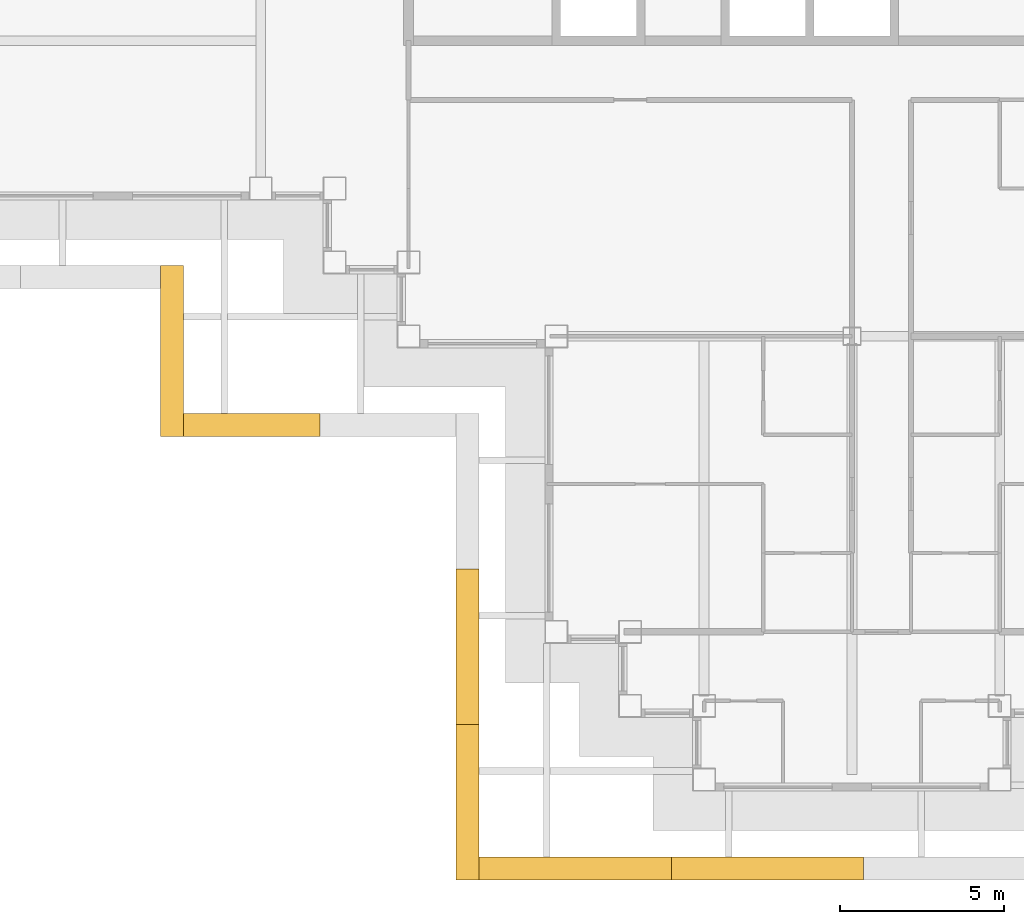
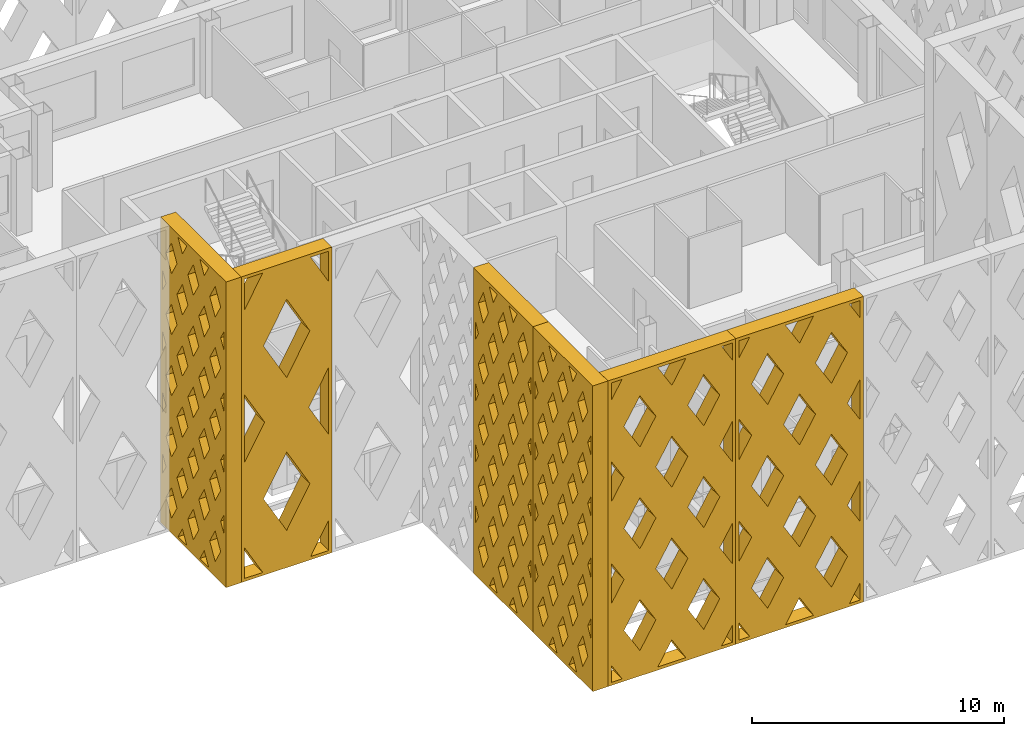
# One storey, part 11 of 17: 6 shading devices.
"""IFC4 building model written with IfcOpenShell, lengths in metres."""

from ifc_helpers import new_model, si_unit, direction, frame, origin, place, context, subcontext, project, spatial, polyline, outline, extrude, material, type_object, element, save


model = new_model("IFC4")

# Units and contexts
model_context = context("Model", 3, precision=1e-05, world=origin(), true_north=direction((0.0, 1.0)))
body_context = subcontext(model_context, "Body", "Model", "MODEL_VIEW")
ifc_project = project(units=[si_unit("LENGTHUNIT", "METRE"), si_unit("AREAUNIT", "SQUARE_METRE"), si_unit("VOLUMEUNIT", "CUBIC_METRE"), si_unit("PLANEANGLEUNIT", "RADIAN"), si_unit("MASSUNIT", "GRAM", prefix="KILO")], contexts=[model_context])

# Site, building, storey
site_placement = place(None, origin())
site = spatial("IfcSite", under=ifc_project, at=site_placement, CompositionType="ELEMENT")
building_placement = place(site_placement, origin())
building = spatial("IfcBuilding", under=site, at=building_placement, Name="Caravel Reach Hotel and Residences", CompositionType="ELEMENT")
storey_placement = place(building_placement, frame((0.0, 0.0, 192.39990234375)))
storey = spatial("IfcBuildingStorey", under=building, at=storey_placement, Name="L48", CompositionType="ELEMENT", Elevation=192.39990234375)

# Shading devices
ifc_material_1 = material(Name="Black powder-coated aluminium", Category="aluminium")
shading_device_type_1 = type_object("IfcShadingDeviceType", Name="Diamond lattice screen panel 4150 x 14800", PredefinedType="USERDEFINED", material=ifc_material_1)
shading_device_1_placement = place(storey_placement, frame((11.14990234375, 11.14990234375, 0.0), z_axis=(0.0, -1.0, 0.0), x_axis=(1.0, 0.0, 0.0)))
element("IfcShadingDevice", 1, at=shading_device_1_placement, inside=storey, type_object=shading_device_type_1, Name="Lattice screen L48-L51 10.1", ObjectType="SCREEN", PredefinedType="USERDEFINED", context=body_context, shape_type="SweptSolid", body=[
    extrude(outline(polyline([(0.0, 0.0), (4.14990234375, 0.0), (4.14990234375, 14.800048828125), (0.0, 14.800048828125), (0.0, 0.0)]), holes=[polyline([(0.97998046875, 0.14990234375), (0.14990234375, 1.6298828125), (0.14990234375, 0.14990234375), (0.97998046875, 0.14990234375)]), polyline([(1.06396484375, 7.39990234375), (0.14990234375, 9.030029296875), (0.14990234375, 5.77001953125), (1.06396484375, 7.39990234375)]), polyline([(0.14990234375, 13.170166015625), (0.97998046875, 14.64990234375), (0.14990234375, 14.64990234375), (0.14990234375, 13.170166015625)]), polyline([(2.074951171875, 5.597412109375), (1.010986328125, 3.699951171875), (2.074951171875, 1.802490234375), (3.13916015625, 3.699951171875), (2.074951171875, 5.597412109375)]), polyline([(2.074951171875, 12.997314453125), (1.010986328125, 11.10009765625), (2.074951171875, 9.20263671875), (3.13916015625, 11.10009765625), (2.074951171875, 12.997314453125)]), polyline([(4.0, 1.6298828125), (3.169921875, 0.14990234375), (4.0, 0.14990234375), (4.0, 1.6298828125)]), polyline([(3.0859375, 7.39990234375), (4.0, 5.77001953125), (4.0, 9.030029296875), (3.0859375, 7.39990234375)]), polyline([(3.169921875, 14.64990234375), (4.0, 13.170166015625), (4.0, 14.64990234375), (3.169921875, 14.64990234375)])]), origin(), (0.0, 0.0, 1.0), 0.699951171875),
])
ifc_material_2 = material(Name="Black powder-coated aluminium", Category="aluminium")
shading_device_type_2 = type_object("IfcShadingDeviceType", Name="Diamond lattice screen panel 4733 x 14800", PredefinedType="USERDEFINED", material=ifc_material_2)
shading_device_2_placement = place(storey_placement, frame((20.14990234375, 6.416748046875, 0.0), z_axis=(-1.0, 0.0, 0.0), x_axis=(0.0, -1.0, 0.0)))
element("IfcShadingDevice", 2, at=shading_device_2_placement, inside=storey, type_object=shading_device_type_2, Name="Lattice screen L48-L51 11.2", ObjectType="SCREEN", PredefinedType="USERDEFINED", context=body_context, shape_type="SweptSolid", body=[
    extrude(outline(polyline([(0.0, 0.0), (4.7333984375, 0.0), (4.7333984375, 14.800048828125), (0.0, 14.800048828125), (0.0, 0.0)]), holes=[polyline([(0.398681640625, 2.9599609375), (0.14990234375, 3.4267578125), (0.14990234375, 2.493408203125), (0.398681640625, 2.9599609375)]), polyline([(0.398681640625, 5.919921875), (0.14990234375, 6.38671875), (0.14990234375, 5.453369140625), (0.398681640625, 5.919921875)]), polyline([(0.398681640625, 8.8798828125), (0.14990234375, 9.3466796875), (0.14990234375, 8.413330078125), (0.398681640625, 8.8798828125)]), polyline([(0.398681640625, 11.840087890625), (0.14990234375, 12.306640625), (0.14990234375, 11.373291015625), (0.398681640625, 11.840087890625)]), polyline([(0.788818359375, 2.22802734375), (0.39013671875, 1.47998046875), (0.788818359375, 0.73193359375), (1.187744140625, 1.47998046875), (0.788818359375, 2.22802734375)]), polyline([(0.788818359375, 5.18798828125), (0.39013671875, 4.43994140625), (0.788818359375, 3.69189453125), (1.187744140625, 4.43994140625), (0.788818359375, 5.18798828125)]), polyline([(0.788818359375, 8.14794921875), (0.39013671875, 7.39990234375), (0.788818359375, 6.65185546875), (1.187744140625, 7.39990234375), (0.788818359375, 8.14794921875)]), polyline([(0.788818359375, 11.108154296875), (0.39013671875, 10.360107421875), (0.788818359375, 9.612060546875), (1.187744140625, 10.360107421875), (0.788818359375, 11.108154296875)]), polyline([(0.788818359375, 14.068115234375), (0.39013671875, 13.320068359375), (0.788818359375, 12.572021484375), (1.187744140625, 13.320068359375), (0.788818359375, 14.068115234375)]), polyline([(1.577880859375, 0.748046875), (1.259033203125, 0.14990234375), (1.896484375, 0.14990234375), (1.577880859375, 0.748046875)]), polyline([(1.577880859375, 3.7080078125), (1.178955078125, 2.9599609375), (1.577880859375, 2.2119140625), (1.9765625, 2.9599609375), (1.577880859375, 3.7080078125)]), polyline([(1.577880859375, 6.66796875), (1.178955078125, 5.919921875), (1.577880859375, 5.171875), (1.9765625, 5.919921875), (1.577880859375, 6.66796875)]), polyline([(1.577880859375, 9.6279296875), (1.178955078125, 8.8798828125), (1.577880859375, 8.1318359375), (1.9765625, 8.8798828125), (1.577880859375, 9.6279296875)]), polyline([(1.577880859375, 12.588134765625), (1.178955078125, 11.840087890625), (1.577880859375, 11.092041015625), (1.9765625, 11.840087890625), (1.577880859375, 12.588134765625)]), polyline([(1.577880859375, 14.052001953125), (1.896484375, 14.64990234375), (1.259033203125, 14.64990234375), (1.577880859375, 14.052001953125)]), polyline([(2.36669921875, 2.22802734375), (1.968017578125, 1.47998046875), (2.36669921875, 0.73193359375), (2.765380859375, 1.47998046875), (2.36669921875, 2.22802734375)]), polyline([(2.36669921875, 5.18798828125), (1.968017578125, 4.43994140625), (2.36669921875, 3.69189453125), (2.765380859375, 4.43994140625), (2.36669921875, 5.18798828125)]), polyline([(2.36669921875, 8.14794921875), (1.968017578125, 7.39990234375), (2.36669921875, 6.65185546875), (2.765380859375, 7.39990234375), (2.36669921875, 8.14794921875)]), polyline([(2.36669921875, 11.108154296875), (1.968017578125, 10.360107421875), (2.36669921875, 9.612060546875), (2.765380859375, 10.360107421875), (2.36669921875, 11.108154296875)]), polyline([(2.36669921875, 14.068115234375), (1.968017578125, 13.320068359375), (2.36669921875, 12.572021484375), (2.765380859375, 13.320068359375), (2.36669921875, 14.068115234375)]), polyline([(3.155517578125, 0.748046875), (2.836669921875, 0.14990234375), (3.474365234375, 0.14990234375), (3.155517578125, 0.748046875)]), polyline([(3.155517578125, 3.7080078125), (2.7568359375, 2.9599609375), (3.155517578125, 2.2119140625), (3.55419921875, 2.9599609375), (3.155517578125, 3.7080078125)]), polyline([(3.155517578125, 6.66796875), (2.7568359375, 5.919921875), (3.155517578125, 5.171875), (3.55419921875, 5.919921875), (3.155517578125, 6.66796875)]), polyline([(3.155517578125, 9.6279296875), (2.7568359375, 8.8798828125), (3.155517578125, 8.1318359375), (3.55419921875, 8.8798828125), (3.155517578125, 9.6279296875)]), polyline([(3.155517578125, 12.588134765625), (2.7568359375, 11.840087890625), (3.155517578125, 11.092041015625), (3.55419921875, 11.840087890625), (3.155517578125, 12.588134765625)]), polyline([(3.155517578125, 14.052001953125), (3.474365234375, 14.64990234375), (2.836669921875, 14.64990234375), (3.155517578125, 14.052001953125)]), polyline([(3.9443359375, 2.22802734375), (3.545654296875, 1.47998046875), (3.9443359375, 0.73193359375), (4.34326171875, 1.47998046875), (3.9443359375, 2.22802734375)]), polyline([(3.9443359375, 5.18798828125), (3.545654296875, 4.43994140625), (3.9443359375, 3.69189453125), (4.34326171875, 4.43994140625), (3.9443359375, 5.18798828125)]), polyline([(3.9443359375, 8.14794921875), (3.545654296875, 7.39990234375), (3.9443359375, 6.65185546875), (4.34326171875, 7.39990234375), (3.9443359375, 8.14794921875)]), polyline([(3.9443359375, 11.108154296875), (3.545654296875, 10.360107421875), (3.9443359375, 9.612060546875), (4.34326171875, 10.360107421875), (3.9443359375, 11.108154296875)]), polyline([(3.9443359375, 14.068115234375), (3.545654296875, 13.320068359375), (3.9443359375, 12.572021484375), (4.34326171875, 13.320068359375), (3.9443359375, 14.068115234375)]), polyline([(4.334716796875, 2.9599609375), (4.583251953125, 2.493408203125), (4.583251953125, 3.4267578125), (4.334716796875, 2.9599609375)]), polyline([(4.334716796875, 5.919921875), (4.583251953125, 5.453369140625), (4.583251953125, 6.38671875), (4.334716796875, 5.919921875)]), polyline([(4.334716796875, 8.8798828125), (4.583251953125, 8.413330078125), (4.583251953125, 9.3466796875), (4.334716796875, 8.8798828125)]), polyline([(4.334716796875, 11.840087890625), (4.583251953125, 11.373291015625), (4.583251953125, 12.306640625), (4.334716796875, 11.840087890625)])]), origin(), (0.0, 0.0, 1.0), 0.699951171875),
])
shading_device_3_placement = place(storey_placement, frame((20.14990234375, 1.683349609375, 0.0), z_axis=(-1.0, 0.0, 0.0), x_axis=(0.0, -1.0, 0.0)))
element("IfcShadingDevice", 3, at=shading_device_3_placement, inside=storey, type_object=shading_device_type_2, Name="Lattice screen L48-L51 11.3", ObjectType="SCREEN", PredefinedType="USERDEFINED", context=body_context, shape_type="SweptSolid", body=[
    extrude(outline(polyline([(0.0, 0.0), (4.7333984375, 0.0), (4.7333984375, 14.800048828125), (0.0, 14.800048828125), (0.0, 0.0)]), holes=[polyline([(0.398681640625, 2.9599609375), (0.14990234375, 3.4267578125), (0.14990234375, 2.493408203125), (0.398681640625, 2.9599609375)]), polyline([(0.398681640625, 5.919921875), (0.14990234375, 6.38671875), (0.14990234375, 5.453369140625), (0.398681640625, 5.919921875)]), polyline([(0.398681640625, 8.8798828125), (0.14990234375, 9.3466796875), (0.14990234375, 8.413330078125), (0.398681640625, 8.8798828125)]), polyline([(0.398681640625, 11.840087890625), (0.14990234375, 12.306640625), (0.14990234375, 11.373291015625), (0.398681640625, 11.840087890625)]), polyline([(0.788818359375, 2.22802734375), (0.39013671875, 1.47998046875), (0.788818359375, 0.73193359375), (1.187744140625, 1.47998046875), (0.788818359375, 2.22802734375)]), polyline([(0.788818359375, 5.18798828125), (0.39013671875, 4.43994140625), (0.788818359375, 3.69189453125), (1.187744140625, 4.43994140625), (0.788818359375, 5.18798828125)]), polyline([(0.788818359375, 8.14794921875), (0.39013671875, 7.39990234375), (0.788818359375, 6.65185546875), (1.187744140625, 7.39990234375), (0.788818359375, 8.14794921875)]), polyline([(0.788818359375, 11.108154296875), (0.39013671875, 10.360107421875), (0.788818359375, 9.612060546875), (1.187744140625, 10.360107421875), (0.788818359375, 11.108154296875)]), polyline([(0.788818359375, 14.068115234375), (0.39013671875, 13.320068359375), (0.788818359375, 12.572021484375), (1.187744140625, 13.320068359375), (0.788818359375, 14.068115234375)]), polyline([(1.577880859375, 0.748046875), (1.259033203125, 0.14990234375), (1.896484375, 0.14990234375), (1.577880859375, 0.748046875)]), polyline([(1.577880859375, 3.7080078125), (1.178955078125, 2.9599609375), (1.577880859375, 2.2119140625), (1.9765625, 2.9599609375), (1.577880859375, 3.7080078125)]), polyline([(1.577880859375, 6.66796875), (1.178955078125, 5.919921875), (1.577880859375, 5.171875), (1.9765625, 5.919921875), (1.577880859375, 6.66796875)]), polyline([(1.577880859375, 9.6279296875), (1.178955078125, 8.8798828125), (1.577880859375, 8.1318359375), (1.9765625, 8.8798828125), (1.577880859375, 9.6279296875)]), polyline([(1.577880859375, 12.588134765625), (1.178955078125, 11.840087890625), (1.577880859375, 11.092041015625), (1.9765625, 11.840087890625), (1.577880859375, 12.588134765625)]), polyline([(1.577880859375, 14.052001953125), (1.896484375, 14.64990234375), (1.259033203125, 14.64990234375), (1.577880859375, 14.052001953125)]), polyline([(2.36669921875, 2.22802734375), (1.968017578125, 1.47998046875), (2.36669921875, 0.73193359375), (2.765380859375, 1.47998046875), (2.36669921875, 2.22802734375)]), polyline([(2.36669921875, 5.18798828125), (1.968017578125, 4.43994140625), (2.36669921875, 3.69189453125), (2.765380859375, 4.43994140625), (2.36669921875, 5.18798828125)]), polyline([(2.36669921875, 8.14794921875), (1.968017578125, 7.39990234375), (2.36669921875, 6.65185546875), (2.765380859375, 7.39990234375), (2.36669921875, 8.14794921875)]), polyline([(2.36669921875, 11.108154296875), (1.968017578125, 10.360107421875), (2.36669921875, 9.612060546875), (2.765380859375, 10.360107421875), (2.36669921875, 11.108154296875)]), polyline([(2.36669921875, 14.068115234375), (1.968017578125, 13.320068359375), (2.36669921875, 12.572021484375), (2.765380859375, 13.320068359375), (2.36669921875, 14.068115234375)]), polyline([(3.155517578125, 0.748046875), (2.836669921875, 0.14990234375), (3.474365234375, 0.14990234375), (3.155517578125, 0.748046875)]), polyline([(3.155517578125, 3.7080078125), (2.7568359375, 2.9599609375), (3.155517578125, 2.2119140625), (3.55419921875, 2.9599609375), (3.155517578125, 3.7080078125)]), polyline([(3.155517578125, 6.66796875), (2.7568359375, 5.919921875), (3.155517578125, 5.171875), (3.55419921875, 5.919921875), (3.155517578125, 6.66796875)]), polyline([(3.155517578125, 9.6279296875), (2.7568359375, 8.8798828125), (3.155517578125, 8.1318359375), (3.55419921875, 8.8798828125), (3.155517578125, 9.6279296875)]), polyline([(3.155517578125, 12.588134765625), (2.7568359375, 11.840087890625), (3.155517578125, 11.092041015625), (3.55419921875, 11.840087890625), (3.155517578125, 12.588134765625)]), polyline([(3.155517578125, 14.052001953125), (3.474365234375, 14.64990234375), (2.836669921875, 14.64990234375), (3.155517578125, 14.052001953125)]), polyline([(3.9443359375, 2.22802734375), (3.545654296875, 1.47998046875), (3.9443359375, 0.73193359375), (4.34326171875, 1.47998046875), (3.9443359375, 2.22802734375)]), polyline([(3.9443359375, 5.18798828125), (3.545654296875, 4.43994140625), (3.9443359375, 3.69189453125), (4.34326171875, 4.43994140625), (3.9443359375, 5.18798828125)]), polyline([(3.9443359375, 8.14794921875), (3.545654296875, 7.39990234375), (3.9443359375, 6.65185546875), (4.34326171875, 7.39990234375), (3.9443359375, 8.14794921875)]), polyline([(3.9443359375, 11.108154296875), (3.545654296875, 10.360107421875), (3.9443359375, 9.612060546875), (4.34326171875, 10.360107421875), (3.9443359375, 11.108154296875)]), polyline([(3.9443359375, 14.068115234375), (3.545654296875, 13.320068359375), (3.9443359375, 12.572021484375), (4.34326171875, 13.320068359375), (3.9443359375, 14.068115234375)]), polyline([(4.334716796875, 2.9599609375), (4.583251953125, 2.493408203125), (4.583251953125, 3.4267578125), (4.334716796875, 2.9599609375)]), polyline([(4.334716796875, 5.919921875), (4.583251953125, 5.453369140625), (4.583251953125, 6.38671875), (4.334716796875, 5.919921875)]), polyline([(4.334716796875, 8.8798828125), (4.583251953125, 8.413330078125), (4.583251953125, 9.3466796875), (4.334716796875, 8.8798828125)]), polyline([(4.334716796875, 11.840087890625), (4.583251953125, 11.373291015625), (4.583251953125, 12.306640625), (4.334716796875, 11.840087890625)])]), origin(), (0.0, 0.0, 1.0), 0.699951171875),
])
ifc_material_3 = material(Name="Black powder-coated aluminium", Category="aluminium")
shading_device_type_3 = type_object("IfcShadingDeviceType", Name="Diamond lattice screen panel 5200 x 14800", PredefinedType="USERDEFINED", material=ifc_material_3)
shading_device_4_placement = place(storey_placement, frame((11.14990234375, 15.64990234375, 0.0), z_axis=(-1.0, 0.0, 0.0), x_axis=(0.0, -1.0, 0.0)))
element("IfcShadingDevice", 4, at=shading_device_4_placement, inside=storey, type_object=shading_device_type_3, Name="Lattice screen L48-L51 9.1", ObjectType="SCREEN", PredefinedType="USERDEFINED", context=body_context, shape_type="SweptSolid", body=[
    extrude(outline(polyline([(0.0, 0.0), (5.199951171875, 0.0), (5.199951171875, 14.800048828125), (0.0, 14.800048828125), (0.0, 0.0)]), holes=[polyline([(0.436767578125, 2.9599609375), (0.14990234375, 3.449462890625), (0.14990234375, 2.470458984375), (0.436767578125, 2.9599609375)]), polyline([(0.436767578125, 5.919921875), (0.14990234375, 6.409423828125), (0.14990234375, 5.430419921875), (0.436767578125, 5.919921875)]), polyline([(0.436767578125, 8.8798828125), (0.14990234375, 9.36962890625), (0.14990234375, 8.390380859375), (0.436767578125, 8.8798828125)]), polyline([(0.436767578125, 11.840087890625), (0.14990234375, 12.32958984375), (0.14990234375, 11.3505859375), (0.436767578125, 11.840087890625)]), polyline([(0.86669921875, 2.2255859375), (0.429931640625, 1.47998046875), (0.86669921875, 0.734375), (1.30322265625, 1.47998046875), (0.86669921875, 2.2255859375)]), polyline([(0.86669921875, 5.185791015625), (0.429931640625, 4.43994140625), (0.86669921875, 3.6943359375), (1.30322265625, 4.43994140625), (0.86669921875, 5.185791015625)]), polyline([(0.86669921875, 8.145751953125), (0.429931640625, 7.39990234375), (0.86669921875, 6.654296875), (1.30322265625, 7.39990234375), (0.86669921875, 8.145751953125)]), polyline([(0.86669921875, 11.105712890625), (0.429931640625, 10.360107421875), (0.86669921875, 9.6142578125), (1.30322265625, 10.360107421875), (0.86669921875, 11.105712890625)]), polyline([(0.86669921875, 14.065673828125), (0.429931640625, 13.320068359375), (0.86669921875, 12.57421875), (1.30322265625, 13.320068359375), (0.86669921875, 14.065673828125)]), polyline([(1.7333984375, 0.74560546875), (1.384521484375, 0.14990234375), (2.08203125, 0.14990234375), (1.7333984375, 0.74560546875)]), polyline([(1.7333984375, 3.70556640625), (1.296630859375, 2.9599609375), (1.7333984375, 2.21435546875), (2.169921875, 2.9599609375), (1.7333984375, 3.70556640625)]), polyline([(1.7333984375, 6.665771484375), (1.296630859375, 5.919921875), (1.7333984375, 5.17431640625), (2.169921875, 5.919921875), (1.7333984375, 6.665771484375)]), polyline([(1.7333984375, 9.625732421875), (1.296630859375, 8.8798828125), (1.7333984375, 8.13427734375), (2.169921875, 8.8798828125), (1.7333984375, 9.625732421875)]), polyline([(1.7333984375, 12.585693359375), (1.296630859375, 11.840087890625), (1.7333984375, 11.09423828125), (2.169921875, 11.840087890625), (1.7333984375, 12.585693359375)]), polyline([(1.7333984375, 14.054443359375), (2.08203125, 14.64990234375), (1.384521484375, 14.64990234375), (1.7333984375, 14.054443359375)]), polyline([(2.60009765625, 2.2255859375), (2.163330078125, 1.47998046875), (2.60009765625, 0.734375), (3.03662109375, 1.47998046875), (2.60009765625, 2.2255859375)]), polyline([(2.60009765625, 5.185791015625), (2.163330078125, 4.43994140625), (2.60009765625, 3.6943359375), (3.03662109375, 4.43994140625), (2.60009765625, 5.185791015625)]), polyline([(2.60009765625, 8.145751953125), (2.163330078125, 7.39990234375), (2.60009765625, 6.654296875), (3.03662109375, 7.39990234375), (2.60009765625, 8.145751953125)]), polyline([(2.60009765625, 11.105712890625), (2.163330078125, 10.360107421875), (2.60009765625, 9.6142578125), (3.03662109375, 10.360107421875), (2.60009765625, 11.105712890625)]), polyline([(2.60009765625, 14.065673828125), (2.163330078125, 13.320068359375), (2.60009765625, 12.57421875), (3.03662109375, 13.320068359375), (2.60009765625, 14.065673828125)]), polyline([(3.466552734375, 0.74560546875), (3.117919921875, 0.14990234375), (3.8154296875, 0.14990234375), (3.466552734375, 0.74560546875)]), polyline([(3.466552734375, 3.70556640625), (3.030029296875, 2.9599609375), (3.466552734375, 2.21435546875), (3.9033203125, 2.9599609375), (3.466552734375, 3.70556640625)]), polyline([(3.466552734375, 6.665771484375), (3.030029296875, 5.919921875), (3.466552734375, 5.17431640625), (3.9033203125, 5.919921875), (3.466552734375, 6.665771484375)]), polyline([(3.466552734375, 9.625732421875), (3.030029296875, 8.8798828125), (3.466552734375, 8.13427734375), (3.9033203125, 8.8798828125), (3.466552734375, 9.625732421875)]), polyline([(3.466552734375, 12.585693359375), (3.030029296875, 11.840087890625), (3.466552734375, 11.09423828125), (3.9033203125, 11.840087890625), (3.466552734375, 12.585693359375)]), polyline([(3.466552734375, 14.054443359375), (3.8154296875, 14.64990234375), (3.117919921875, 14.64990234375), (3.466552734375, 14.054443359375)]), polyline([(4.333251953125, 2.2255859375), (3.896728515625, 1.47998046875), (4.333251953125, 0.734375), (4.77001953125, 1.47998046875), (4.333251953125, 2.2255859375)]), polyline([(4.333251953125, 5.185791015625), (3.896728515625, 4.43994140625), (4.333251953125, 3.6943359375), (4.77001953125, 4.43994140625), (4.333251953125, 5.185791015625)]), polyline([(4.333251953125, 8.145751953125), (3.896728515625, 7.39990234375), (4.333251953125, 6.654296875), (4.77001953125, 7.39990234375), (4.333251953125, 8.145751953125)]), polyline([(4.333251953125, 11.105712890625), (3.896728515625, 10.360107421875), (4.333251953125, 9.6142578125), (4.77001953125, 10.360107421875), (4.333251953125, 11.105712890625)]), polyline([(4.333251953125, 14.065673828125), (3.896728515625, 13.320068359375), (4.333251953125, 12.57421875), (4.77001953125, 13.320068359375), (4.333251953125, 14.065673828125)]), polyline([(4.763427734375, 2.9599609375), (5.050048828125, 2.470458984375), (5.050048828125, 3.449462890625), (4.763427734375, 2.9599609375)]), polyline([(4.763427734375, 5.919921875), (5.050048828125, 5.430419921875), (5.050048828125, 6.409423828125), (4.763427734375, 5.919921875)]), polyline([(4.763427734375, 8.8798828125), (5.050048828125, 8.390380859375), (5.050048828125, 9.36962890625), (4.763427734375, 8.8798828125)]), polyline([(4.763427734375, 11.840087890625), (5.050048828125, 11.3505859375), (5.050048828125, 12.32958984375), (4.763427734375, 11.840087890625)])]), origin(), (0.0, 0.0, 1.0), 0.699951171875),
])
ifc_material_4 = material(Name="Black powder-coated aluminium", Category="aluminium")
shading_device_type_4 = type_object("IfcShadingDeviceType", Name="Diamond lattice screen panel 5850 x 14800", PredefinedType="USERDEFINED", material=ifc_material_4)
shading_device_5_placement = place(storey_placement, frame((20.14990234375, -2.35009765625, 0.0), z_axis=(0.0, -1.0, 0.0), x_axis=(1.0, 0.0, 0.0)))
element("IfcShadingDevice", 5, at=shading_device_5_placement, inside=storey, type_object=shading_device_type_4, Name="Lattice screen L48-L51 12.1", ObjectType="SCREEN", PredefinedType="USERDEFINED", context=body_context, shape_type="SweptSolid", body=[
    extrude(outline(polyline([(0.0, 0.0), (5.85009765625, 0.0), (5.85009765625, 14.800048828125), (0.0, 14.800048828125), (0.0, 0.0)]), holes=[polyline([(0.644775390625, 0.14990234375), (0.14990234375, 0.984375), (0.14990234375, 0.14990234375), (0.644775390625, 0.14990234375)]), polyline([(0.733642578125, 4.933349609375), (0.14990234375, 5.917724609375), (0.14990234375, 3.948974609375), (0.733642578125, 4.933349609375)]), polyline([(0.733642578125, 9.86669921875), (0.14990234375, 10.85107421875), (0.14990234375, 8.88232421875), (0.733642578125, 9.86669921875)]), polyline([(0.14990234375, 13.815673828125), (0.644775390625, 14.64990234375), (0.14990234375, 14.64990234375), (0.14990234375, 13.815673828125)]), polyline([(1.46240234375, 3.703857421875), (0.72900390625, 2.466552734375), (1.46240234375, 1.2294921875), (2.196044921875, 2.466552734375), (1.46240234375, 3.703857421875)]), polyline([(1.46240234375, 8.63720703125), (0.72900390625, 7.39990234375), (1.46240234375, 6.16259765625), (2.196044921875, 7.39990234375), (1.46240234375, 8.63720703125)]), polyline([(1.46240234375, 13.570556640625), (0.72900390625, 12.333251953125), (1.46240234375, 11.095947265625), (2.196044921875, 12.333251953125), (1.46240234375, 13.570556640625)]), polyline([(2.925048828125, 1.2373046875), (2.2802734375, 0.14990234375), (3.569580078125, 0.14990234375), (2.925048828125, 1.2373046875)]), polyline([(2.925048828125, 6.170654296875), (2.19140625, 4.933349609375), (2.925048828125, 3.696044921875), (3.65869140625, 4.933349609375), (2.925048828125, 6.170654296875)]), polyline([(2.925048828125, 11.10400390625), (2.19140625, 9.86669921875), (2.925048828125, 8.62939453125), (3.65869140625, 9.86669921875), (2.925048828125, 11.10400390625)]), polyline([(2.925048828125, 13.562744140625), (3.569580078125, 14.64990234375), (2.2802734375, 14.64990234375), (2.925048828125, 13.562744140625)]), polyline([(4.387451171875, 3.703857421875), (3.65380859375, 2.466552734375), (4.387451171875, 1.2294921875), (5.12109375, 2.466552734375), (4.387451171875, 3.703857421875)]), polyline([(4.387451171875, 8.63720703125), (3.65380859375, 7.39990234375), (4.387451171875, 6.16259765625), (5.12109375, 7.39990234375), (4.387451171875, 8.63720703125)]), polyline([(4.387451171875, 13.570556640625), (3.65380859375, 12.333251953125), (4.387451171875, 11.095947265625), (5.12109375, 12.333251953125), (4.387451171875, 13.570556640625)]), polyline([(5.699951171875, 0.984375), (5.205322265625, 0.14990234375), (5.699951171875, 0.14990234375), (5.699951171875, 0.984375)]), polyline([(5.116455078125, 4.933349609375), (5.699951171875, 3.948974609375), (5.699951171875, 5.917724609375), (5.116455078125, 4.933349609375)]), polyline([(5.116455078125, 9.86669921875), (5.699951171875, 8.88232421875), (5.699951171875, 10.85107421875), (5.116455078125, 9.86669921875)]), polyline([(5.205322265625, 14.64990234375), (5.699951171875, 13.815673828125), (5.699951171875, 14.64990234375), (5.205322265625, 14.64990234375)])]), origin(), (0.0, 0.0, 1.0), 0.699951171875),
])
shading_device_6_placement = place(storey_placement, frame((26.0, -2.35009765625, 0.0), z_axis=(0.0, -1.0, 0.0), x_axis=(1.0, 0.0, 0.0)))
element("IfcShadingDevice", 6, at=shading_device_6_placement, inside=storey, type_object=shading_device_type_4, Name="Lattice screen L48-L51 12.2", ObjectType="SCREEN", PredefinedType="USERDEFINED", context=body_context, shape_type="SweptSolid", body=[
    extrude(outline(polyline([(0.0, 0.0), (5.85009765625, 0.0), (5.85009765625, 14.800048828125), (0.0, 14.800048828125), (0.0, 0.0)]), holes=[polyline([(0.644775390625, 0.14990234375), (0.14990234375, 0.984375), (0.14990234375, 0.14990234375), (0.644775390625, 0.14990234375)]), polyline([(0.733642578125, 4.933349609375), (0.14990234375, 5.917724609375), (0.14990234375, 3.948974609375), (0.733642578125, 4.933349609375)]), polyline([(0.733642578125, 9.86669921875), (0.14990234375, 10.85107421875), (0.14990234375, 8.88232421875), (0.733642578125, 9.86669921875)]), polyline([(0.14990234375, 13.815673828125), (0.644775390625, 14.64990234375), (0.14990234375, 14.64990234375), (0.14990234375, 13.815673828125)]), polyline([(1.46240234375, 3.703857421875), (0.72900390625, 2.466552734375), (1.46240234375, 1.2294921875), (2.196044921875, 2.466552734375), (1.46240234375, 3.703857421875)]), polyline([(1.46240234375, 8.63720703125), (0.72900390625, 7.39990234375), (1.46240234375, 6.16259765625), (2.196044921875, 7.39990234375), (1.46240234375, 8.63720703125)]), polyline([(1.46240234375, 13.570556640625), (0.72900390625, 12.333251953125), (1.46240234375, 11.095947265625), (2.196044921875, 12.333251953125), (1.46240234375, 13.570556640625)]), polyline([(2.925048828125, 1.2373046875), (2.2802734375, 0.14990234375), (3.569580078125, 0.14990234375), (2.925048828125, 1.2373046875)]), polyline([(2.925048828125, 6.170654296875), (2.19140625, 4.933349609375), (2.925048828125, 3.696044921875), (3.65869140625, 4.933349609375), (2.925048828125, 6.170654296875)]), polyline([(2.925048828125, 11.10400390625), (2.19140625, 9.86669921875), (2.925048828125, 8.62939453125), (3.65869140625, 9.86669921875), (2.925048828125, 11.10400390625)]), polyline([(2.925048828125, 13.562744140625), (3.569580078125, 14.64990234375), (2.2802734375, 14.64990234375), (2.925048828125, 13.562744140625)]), polyline([(4.387451171875, 3.703857421875), (3.65380859375, 2.466552734375), (4.387451171875, 1.2294921875), (5.12109375, 2.466552734375), (4.387451171875, 3.703857421875)]), polyline([(4.387451171875, 8.63720703125), (3.65380859375, 7.39990234375), (4.387451171875, 6.16259765625), (5.12109375, 7.39990234375), (4.387451171875, 8.63720703125)]), polyline([(4.387451171875, 13.570556640625), (3.65380859375, 12.333251953125), (4.387451171875, 11.095947265625), (5.12109375, 12.333251953125), (4.387451171875, 13.570556640625)]), polyline([(5.699951171875, 0.984375), (5.205322265625, 0.14990234375), (5.699951171875, 0.14990234375), (5.699951171875, 0.984375)]), polyline([(5.116455078125, 4.933349609375), (5.699951171875, 3.948974609375), (5.699951171875, 5.917724609375), (5.116455078125, 4.933349609375)]), polyline([(5.116455078125, 9.86669921875), (5.699951171875, 8.88232421875), (5.699951171875, 10.85107421875), (5.116455078125, 9.86669921875)]), polyline([(5.205322265625, 14.64990234375), (5.699951171875, 13.815673828125), (5.699951171875, 14.64990234375), (5.205322265625, 14.64990234375)])]), origin(), (0.0, 0.0, 1.0), 0.699951171875),
])

save(model, "model.ifc")
